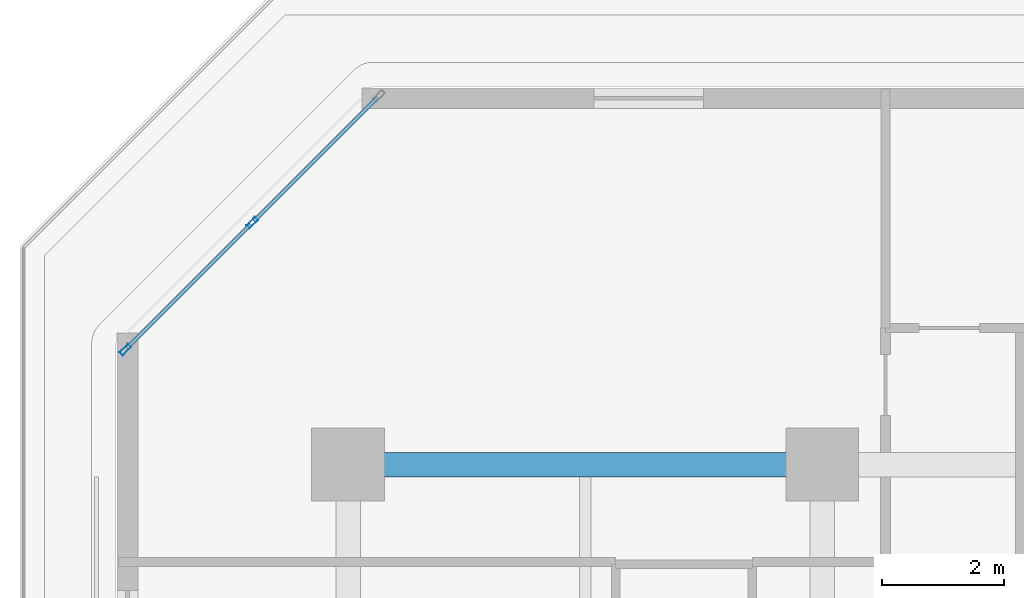
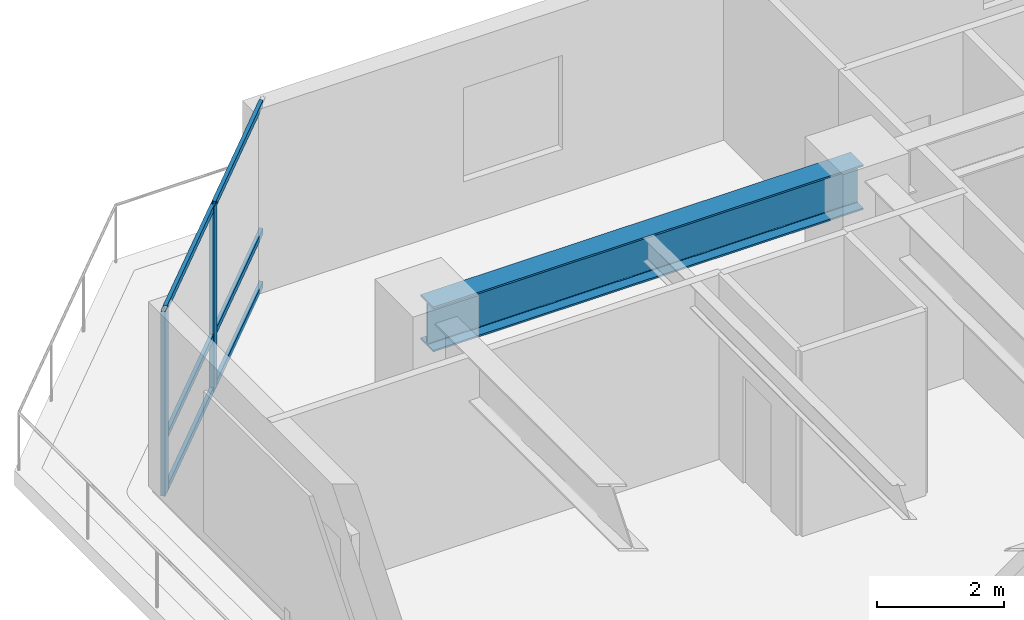
# One storey, part 3 of 12: 8 members, 1 beam, 1 element without a shape of its own.
"""IFC4 building model written with IfcOpenShell, lengths in metres."""

from ifc_helpers import new_model, si_unit, direction, frame, origin, origin_2d, place, context, subcontext, project, spatial, hollow_rectangle, i_section, extrude, material, layer, layer_set, material_profile, profile_set, type_object, element, aggregate, save


model = new_model("IFC4")

# Units and contexts
model_context = context("Model", 3, precision=1e-05, world=origin(), true_north=direction((0.0, 1.0)))
body_context = subcontext(model_context, "Body", "Model", "MODEL_VIEW")
ifc_project = project(units=[si_unit("LENGTHUNIT", "METRE"), si_unit("AREAUNIT", "SQUARE_METRE"), si_unit("VOLUMEUNIT", "CUBIC_METRE"), si_unit("PLANEANGLEUNIT", "RADIAN"), si_unit("MASSUNIT", "GRAM", prefix="KILO")], contexts=[model_context])

# Site, building, storey
site_placement = place(None, origin())
site = spatial("IfcSite", under=ifc_project, at=site_placement, CompositionType="ELEMENT")
building_placement = place(site_placement, origin())
building = spatial("IfcBuilding", under=site, at=building_placement, Name="Kestravale Grand Hotel", CompositionType="ELEMENT")
storey_placement = place(building_placement, frame((0.0, 0.0, 80.39990234375)))
storey = spatial("IfcBuildingStorey", under=building, at=storey_placement, Name="L19", CompositionType="ELEMENT", Elevation=80.39990234375)

# Beam
ifc_material_1 = material(Name="Steel ASTM A992 Grade 50", Category="steel")
ifc_material_profile_1 = material_profile(ifc_material_1, i_section(OverallWidth=0.40087890625, OverallDepth=0.861083984375, WebThickness=0.019775390625, FlangeThickness=0.032470703125, FilletRadius=0.0234375, at=origin_2d()))
ifc_profile_set_1 = profile_set([ifc_material_profile_1], Name="Steel ASTM A992 Grade 50")
beam_type = type_object("IfcBeamType", Name="B-GRD-W33", PredefinedType="BEAM", material=ifc_profile_set_1)
beam_placement = place(storey_placement, frame((7.800048828125, 38.39990234375, 3.109619140625), z_axis=(1.0, 0.0, 0.0), x_axis=(0.0, 1.0, 0.0)))
element("IfcBeam", 1, at=beam_placement, inside=storey, type_object=beam_type, Name="L19 girder F:2-3", PredefinedType="BEAM", context=body_context, shape_type="SweptSolid", body=[
    extrude(i_section(OverallWidth=0.40087890625, OverallDepth=0.861083984375, WebThickness=0.019775390625, FlangeThickness=0.032470703125, FilletRadius=0.0234375, at=origin_2d()), origin(), (0.0, 0.0, 1.0), 7.800048828125),
])

# Curtain wall, members
ifc_material_2 = material(Name="Thermally broken champagne-bronze aluminium and low-E glazing", Category="aluminium")
ifc_layer = layer(ifc_material_2, 0.199951171875)
ifc_layer_set = layer_set([ifc_layer], Name="CW-Z2")
curtain_wall_type = type_object("IfcCurtainWallType", Name="CW-Z2", PredefinedType="NOTDEFINED", material=ifc_layer_set)
curtain_wall_placement = place(storey_placement, origin())
curtain_wall = element("IfcCurtainWall", 2, at=curtain_wall_placement, inside=storey, type_object=curtain_wall_type, Name="L19 unitised curtain wall 18", PredefinedType="NOTDEFINED")
ifc_material_3 = material(Name="Aluminium 6063-T6 anodised", Category="aluminium")
ifc_material_profile_2 = material_profile(ifc_material_3, hollow_rectangle(XDim=0.074951171875, YDim=0.199951171875, WallThickness=0.00390625, at=origin_2d()))
ifc_profile_set_2 = profile_set([ifc_material_profile_2], Name="Aluminium 6063-T6 anodised")
member_type_1 = type_object("IfcMemberType", Name="CW-MUL-200", PredefinedType="MULLION", material=ifc_profile_set_2)
member_1_placement = place(storey_placement, frame((6.22021484375, 42.3798828125, 0.0), z_axis=(0.0, 0.0, 1.0), x_axis=(0.707106781187, -0.707106781187, 0.0)))
member_1 = element("IfcMember", 3, at=member_1_placement, type_object=member_type_1, Name="CW-Z2 mullion 2", PredefinedType="MULLION", context=body_context, shape_type="SweptSolid", body=[
    extrude(hollow_rectangle(XDim=0.074951171875, YDim=0.199951171875, WallThickness=0.00390625, at=origin_2d()), origin(), (0.0, 0.0, 1.0), 3.5400390625),
])
member_2_placement = place(storey_placement, frame((4.132568359375, 40.292236328125, 0.0), z_axis=(0.0, 0.0, 1.0), x_axis=(0.707106781187, -0.707106781187, 0.0)))
member_2 = element("IfcMember", 4, at=member_2_placement, type_object=member_type_1, Name="CW-Z2 mullion 3", PredefinedType="MULLION", context=body_context, shape_type="SweptSolid", body=[
    extrude(hollow_rectangle(XDim=0.074951171875, YDim=0.199951171875, WallThickness=0.00390625, at=origin_2d()), origin(), (0.0, 0.0, 1.0), 3.5400390625),
])
ifc_material_4 = material(Name="Aluminium 6063-T6 anodised", Category="aluminium")
ifc_material_profile_3 = material_profile(ifc_material_4, hollow_rectangle(XDim=0.06494140625, YDim=0.114990234375, WallThickness=0.003173828125, at=origin_2d()))
ifc_profile_set_3 = profile_set([ifc_material_profile_3], Name="Aluminium 6063-T6 anodised")
member_type_2 = type_object("IfcMemberType", Name="CW-TRN-115", PredefinedType="USERDEFINED", material=ifc_profile_set_3)
member_3_placement = place(storey_placement, frame((8.28125, 44.44091796875, 0.03271484375), z_axis=(-0.707064354356, -0.707149205472, 0.0), x_axis=(0.707149205472, -0.707064354356, 0.0)))
member_3 = element("IfcMember", 5, at=member_3_placement, type_object=member_type_2, Name="CW-Z2 transom 1.1", ObjectType="TRANSOM", PredefinedType="USERDEFINED", context=body_context, shape_type="SweptSolid", body=[
    extrude(hollow_rectangle(XDim=0.06494140625, YDim=0.114990234375, WallThickness=0.003173828125, at=origin_2d()), origin(), (0.0, 0.0, 1.0), 2.877197265625),
])
member_4_placement = place(storey_placement, frame((8.28125, 44.44091796875, 1.050048828125), z_axis=(-0.707064354356, -0.707149205472, 0.0), x_axis=(0.707149205472, -0.707064354356, 0.0)))
member_4 = element("IfcMember", 6, at=member_4_placement, type_object=member_type_2, Name="CW-Z2 transom 1.2", ObjectType="TRANSOM", PredefinedType="USERDEFINED", context=body_context, shape_type="SweptSolid", body=[
    extrude(hollow_rectangle(XDim=0.06494140625, YDim=0.114990234375, WallThickness=0.003173828125, at=origin_2d()), origin(), (0.0, 0.0, 1.0), 2.877197265625),
])
member_5_placement = place(storey_placement, frame((8.28125, 44.44091796875, 3.507568359375), z_axis=(-0.707064354356, -0.707149205472, 0.0), x_axis=(0.707149205472, -0.707064354356, 0.0)))
member_5 = element("IfcMember", 7, at=member_5_placement, type_object=member_type_2, Name="CW-Z2 transom 1.3", ObjectType="TRANSOM", PredefinedType="USERDEFINED", context=body_context, shape_type="SweptSolid", body=[
    extrude(hollow_rectangle(XDim=0.06494140625, YDim=0.114990234375, WallThickness=0.003173828125, at=origin_2d()), origin(), (0.0, 0.0, 1.0), 2.877197265625),
])
member_6_placement = place(storey_placement, frame((6.193603515625, 42.353271484375, 0.03271484375), z_axis=(-0.707106781187, -0.707106781187, 0.0), x_axis=(0.707106781187, -0.707106781187, 0.0)))
member_6 = element("IfcMember", 8, at=member_6_placement, type_object=member_type_2, Name="CW-Z2 transom 2.1", ObjectType="TRANSOM", PredefinedType="USERDEFINED", context=body_context, shape_type="SweptSolid", body=[
    extrude(hollow_rectangle(XDim=0.06494140625, YDim=0.114990234375, WallThickness=0.003173828125, at=origin_2d()), origin(), (0.0, 0.0, 1.0), 2.87744140625),
])
member_7_placement = place(storey_placement, frame((6.193603515625, 42.353271484375, 1.050048828125), z_axis=(-0.707106781187, -0.707106781187, 0.0), x_axis=(0.707106781187, -0.707106781187, 0.0)))
member_7 = element("IfcMember", 9, at=member_7_placement, type_object=member_type_2, Name="CW-Z2 transom 2.2", ObjectType="TRANSOM", PredefinedType="USERDEFINED", context=body_context, shape_type="SweptSolid", body=[
    extrude(hollow_rectangle(XDim=0.06494140625, YDim=0.114990234375, WallThickness=0.003173828125, at=origin_2d()), origin(), (0.0, 0.0, 1.0), 2.87744140625),
])
member_8_placement = place(storey_placement, frame((6.193603515625, 42.353271484375, 3.507568359375), z_axis=(-0.707106781187, -0.707106781187, 0.0), x_axis=(0.707106781187, -0.707106781187, 0.0)))
member_8 = element("IfcMember", 10, at=member_8_placement, type_object=member_type_2, Name="CW-Z2 transom 2.3", ObjectType="TRANSOM", PredefinedType="USERDEFINED", context=body_context, shape_type="SweptSolid", body=[
    extrude(hollow_rectangle(XDim=0.06494140625, YDim=0.114990234375, WallThickness=0.003173828125, at=origin_2d()), origin(), (0.0, 0.0, 1.0), 2.87744140625),
])
aggregate(curtain_wall, [member_1, member_2, member_3, member_4, member_5, member_6, member_7, member_8])

save(model, "model.ifc")
